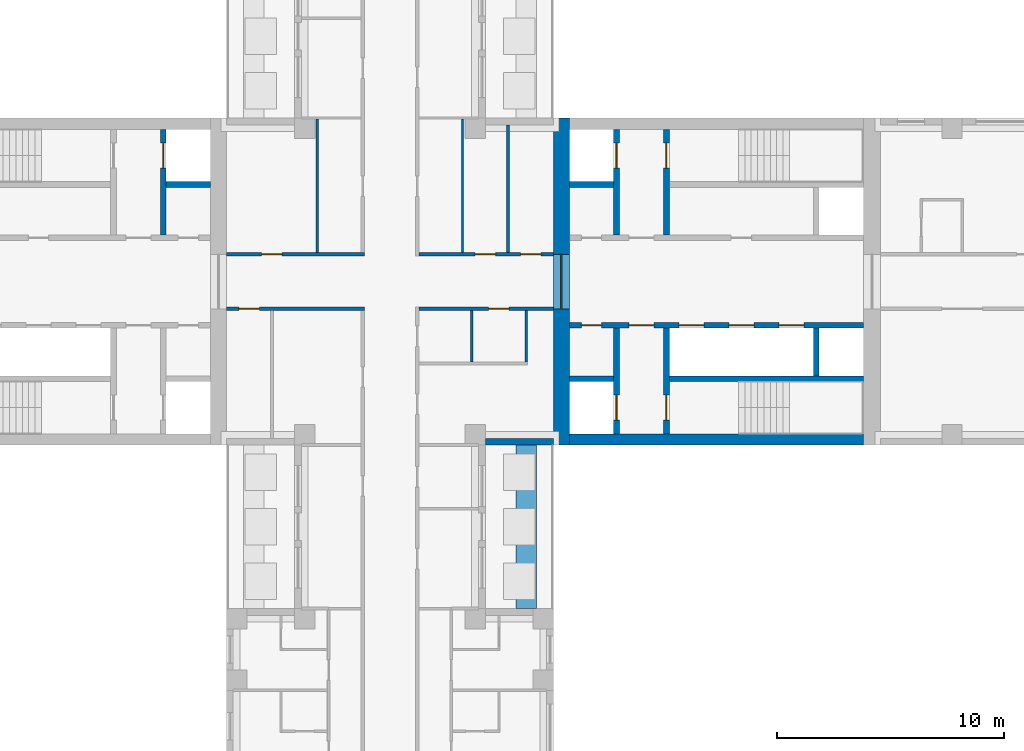
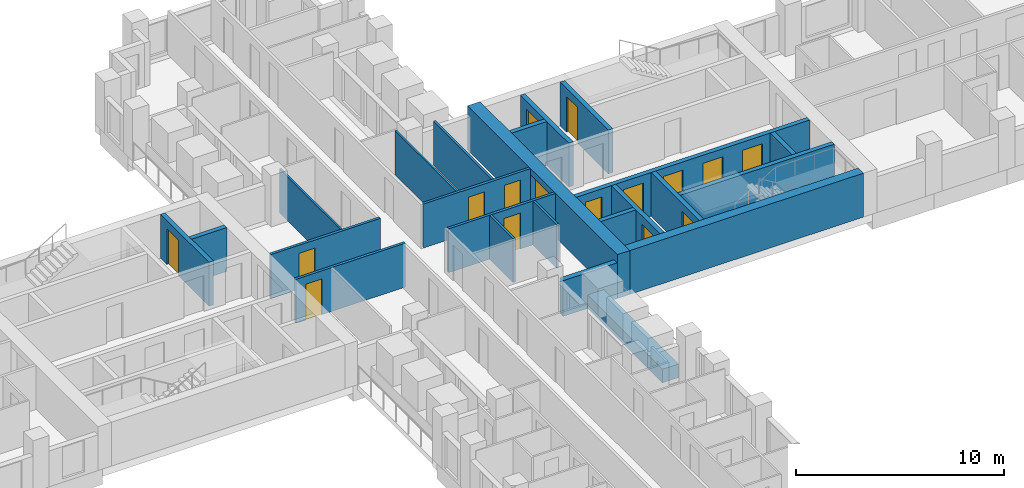
# One storey, part 8 of 14: 24 walls, 16 doors, 16 openings.
"""IFC4 building model written with IfcOpenShell, lengths in metres."""

from ifc_helpers import new_model, si_unit, direction, frame, frame_2d, origin, place, context, subcontext, project, spatial, rectangle, extrude, material, layer, layer_set, type_object, element, fill, save


model = new_model("IFC4")

# Units and contexts
model_context = context("Model", 3, precision=1e-05, world=origin(), true_north=direction((0.0, 1.0)))
body_context = subcontext(model_context, "Body", "Model", "MODEL_VIEW")
ifc_project = project(units=[si_unit("LENGTHUNIT", "METRE"), si_unit("AREAUNIT", "SQUARE_METRE"), si_unit("VOLUMEUNIT", "CUBIC_METRE"), si_unit("PLANEANGLEUNIT", "RADIAN"), si_unit("MASSUNIT", "GRAM", prefix="KILO")], contexts=[model_context])

# Site, building, storey
site_placement = place(None, origin())
site = spatial("IfcSite", under=ifc_project, at=site_placement, CompositionType="ELEMENT")
building_placement = place(site_placement, origin())
building = spatial("IfcBuilding", under=site, at=building_placement, Name="Fustian Cross Tower", CompositionType="ELEMENT")
storey_placement = place(building_placement, frame((0.0, 0.0, 96.89990234375)))
storey = spatial("IfcBuildingStorey", under=building, at=storey_placement, Name="L30", CompositionType="ELEMENT", Elevation=96.89990234375)

# Wall, opening, door
ifc_material_1 = material(Name="Plasterboard on steel stud", Category="steel")
ifc_layer_1 = layer(ifc_material_1, 0.14990234375)
ifc_layer_set_1 = layer_set([ifc_layer_1], Name="Plasterboard on steel stud")
wall_type_1 = type_object("IfcWallType", Name="COMPARTMENT WALL 150 EI 60", PredefinedType="PARTITIONING", material=ifc_layer_set_1)
wall_1_placement = place(storey_placement, frame((-7.199951171875, -1.199951171875, 0.0), z_axis=(0.0, 0.0, 1.0), x_axis=(1.0, 0.0, 0.0)))
wall_1 = element("IfcWall", 1, at=wall_1_placement, inside=storey, type_object=wall_type_1, Name="Partition 13", PredefinedType="PARTITIONING", context=body_context, shape_type="SweptSolid", body=[
    extrude(rectangle(XDim=6.074951171875, YDim=0.14990234375, at=frame_2d((3.03759765625, 0.0))), origin(), (0.0, 0.0, 1.0), 2.5751953125),
])
opening_1_placement = place(wall_1_placement, frame((0.550048828125, 0.0, 0.0)))
opening_1 = element("IfcOpeningElement", 2, at=opening_1_placement, cuts=wall_1, Name="Opening D14010", PredefinedType="OPENING", context=body_context, shape_type="SweptSolid", body=[
    extrude(rectangle(XDim=0.89990234375, YDim=2.10009765625, at=frame_2d((0.449951171875, 1.050048828125))), frame((0.0, 0.0849609375, 0.0), z_axis=(0.0, -1.0, 0.0), x_axis=(1.0, 0.0, 0.0)), (0.0, 0.0, 1.0), 0.169921875),
])
ifc_material_2 = material(Name="Timber fire door set", Category="wood")
door_type_1 = type_object("IfcDoorType", Name="FIRE SWING DOOR 900 FD30S", OperationType="SINGLE_SWING_LEFT", PredefinedType="DOOR", material=ifc_material_2)
door_1_placement = place(opening_1_placement, frame((0.89990234375, 0.0, 0.0), z_axis=(0.0, 0.0, 1.0), x_axis=(-1.0, 0.0, 0.0)))
door_1 = element("IfcDoor", 3, at=door_1_placement, inside=storey, type_object=door_type_1, Name="Door D14010", OperationType="SINGLE_SWING_RIGHT", OverallHeight=2.10009765625, OverallWidth=0.89990234375, PredefinedType="DOOR", context=body_context, shape_type="SweptSolid", body=[
    extrude(rectangle(XDim=0.89990234375, YDim=2.10009765625, at=frame_2d((0.449951171875, 1.050048828125))), frame((0.0, 0.02490234375, 0.0), z_axis=(0.0, -1.0, 0.0), x_axis=(1.0, 0.0, 0.0)), (0.0, 0.0, 1.0), 0.050048828125),
])
fill(opening_1, door_1)

wall_2_placement = place(storey_placement, frame((-7.199951171875, 1.199951171875, 0.0), z_axis=(0.0, 0.0, 1.0), x_axis=(1.0, 0.0, 0.0)))
wall_2 = element("IfcWall", 4, at=wall_2_placement, inside=storey, type_object=wall_type_1, Name="Partition 14", PredefinedType="PARTITIONING", context=body_context, shape_type="SweptSolid", body=[
    extrude(rectangle(XDim=6.074951171875, YDim=0.14990234375, at=frame_2d((3.03759765625, 0.0))), origin(), (0.0, 0.0, 1.0), 2.5751953125),
])
opening_2_placement = place(wall_2_placement, frame((1.550048828125, 0.0, 0.0)))
opening_2 = element("IfcOpeningElement", 5, at=opening_2_placement, cuts=wall_2, Name="Opening D14005", PredefinedType="OPENING", context=body_context, shape_type="SweptSolid", body=[
    extrude(rectangle(XDim=0.89990234375, YDim=2.10009765625, at=frame_2d((0.449951171875, 1.050048828125))), frame((0.0, 0.0849609375, 0.0), z_axis=(0.0, -1.0, 0.0), x_axis=(1.0, 0.0, 0.0)), (0.0, 0.0, 1.0), 0.169921875),
])
door_2_placement = place(opening_2_placement, origin())
door_2 = element("IfcDoor", 6, at=door_2_placement, inside=storey, type_object=door_type_1, Name="Door D14005", OperationType="SINGLE_SWING_LEFT", OverallHeight=2.10009765625, OverallWidth=0.89990234375, PredefinedType="DOOR", context=body_context, shape_type="SweptSolid", body=[
    extrude(rectangle(XDim=0.89990234375, YDim=2.10009765625, at=frame_2d((0.449951171875, 1.050048828125))), frame((0.0, 0.02490234375, 0.0), z_axis=(0.0, -1.0, 0.0), x_axis=(1.0, 0.0, 0.0)), (0.0, 0.0, 1.0), 0.050048828125),
])
fill(opening_2, door_2)

wall_3_placement = place(storey_placement, frame((1.27490234375, -1.199951171875, 0.0), z_axis=(0.0, 0.0, 1.0), x_axis=(1.0, 0.0, 0.0)))
wall_3 = element("IfcWall", 7, at=wall_3_placement, inside=storey, type_object=wall_type_1, Name="Partition 49", PredefinedType="PARTITIONING", context=body_context, shape_type="SweptSolid", body=[
    extrude(rectangle(XDim=5.925048828125, YDim=0.14990234375, at=frame_2d((2.96240234375, 0.0))), origin(), (0.0, 0.0, 1.0), 2.5751953125),
])
opening_3_placement = place(wall_3_placement, frame((3.074951171875, 0.0, 0.0)))
opening_3 = element("IfcOpeningElement", 8, at=opening_3_placement, cuts=wall_3, Name="Opening D14007", PredefinedType="OPENING", context=body_context, shape_type="SweptSolid", body=[
    extrude(rectangle(XDim=0.89990234375, YDim=2.10009765625, at=frame_2d((0.449951171875, 1.050048828125))), frame((0.0, 0.0849609375, 0.0), z_axis=(0.0, -1.0, 0.0), x_axis=(1.0, 0.0, 0.0)), (0.0, 0.0, 1.0), 0.169921875),
])
door_3_placement = place(opening_3_placement, frame((0.89990234375, 0.0, 0.0), z_axis=(0.0, 0.0, 1.0), x_axis=(-1.0, 0.0, 0.0)))
door_3 = element("IfcDoor", 9, at=door_3_placement, inside=storey, type_object=door_type_1, Name="Door D14007", OperationType="SINGLE_SWING_RIGHT", OverallHeight=2.10009765625, OverallWidth=0.89990234375, PredefinedType="DOOR", context=body_context, shape_type="SweptSolid", body=[
    extrude(rectangle(XDim=0.89990234375, YDim=2.10009765625, at=frame_2d((0.449951171875, 1.050048828125))), frame((0.0, 0.02490234375, 0.0), z_axis=(0.0, -1.0, 0.0), x_axis=(1.0, 0.0, 0.0)), (0.0, 0.0, 1.0), 0.050048828125),
])
fill(opening_3, door_3)

# Wall, openings, doors
wall_4_placement = place(storey_placement, frame((1.27490234375, 1.199951171875, 0.0), z_axis=(0.0, 0.0, 1.0), x_axis=(1.0, 0.0, 0.0)))
wall_4 = element("IfcWall", 10, at=wall_4_placement, inside=storey, type_object=wall_type_1, Name="Partition 51", PredefinedType="PARTITIONING", context=body_context, shape_type="SweptSolid", body=[
    extrude(rectangle(XDim=5.925048828125, YDim=0.14990234375, at=frame_2d((2.96240234375, 0.0))), origin(), (0.0, 0.0, 1.0), 2.5751953125),
])
opening_4_placement = place(wall_4_placement, frame((2.47509765625, 0.0, 0.0)))
opening_4 = element("IfcOpeningElement", 11, at=opening_4_placement, cuts=wall_4, Name="Opening D14002", PredefinedType="OPENING", context=body_context, shape_type="SweptSolid", body=[
    extrude(rectangle(XDim=0.89990234375, YDim=2.10009765625, at=frame_2d((0.449951171875, 1.050048828125))), frame((0.0, 0.0849609375, 0.0), z_axis=(0.0, -1.0, 0.0), x_axis=(1.0, 0.0, 0.0)), (0.0, 0.0, 1.0), 0.169921875),
])
opening_5_placement = place(wall_4_placement, frame((4.47509765625, 0.0, 0.0)))
opening_5 = element("IfcOpeningElement", 12, at=opening_5_placement, cuts=wall_4, Name="Opening D14003", PredefinedType="OPENING", context=body_context, shape_type="SweptSolid", body=[
    extrude(rectangle(XDim=0.89990234375, YDim=2.10009765625, at=frame_2d((0.449951171875, 1.050048828125))), frame((0.0, 0.0849609375, 0.0), z_axis=(0.0, -1.0, 0.0), x_axis=(1.0, 0.0, 0.0)), (0.0, 0.0, 1.0), 0.169921875),
])
door_4_placement = place(opening_4_placement, origin())
door_4 = element("IfcDoor", 13, at=door_4_placement, inside=storey, type_object=door_type_1, Name="Door D14002", OperationType="SINGLE_SWING_LEFT", OverallHeight=2.10009765625, OverallWidth=0.89990234375, PredefinedType="DOOR", context=body_context, shape_type="SweptSolid", body=[
    extrude(rectangle(XDim=0.89990234375, YDim=2.10009765625, at=frame_2d((0.449951171875, 1.050048828125))), frame((0.0, 0.02490234375, 0.0), z_axis=(0.0, -1.0, 0.0), x_axis=(1.0, 0.0, 0.0)), (0.0, 0.0, 1.0), 0.050048828125),
])
fill(opening_4, door_4)
door_5_placement = place(opening_5_placement, origin())
door_5 = element("IfcDoor", 14, at=door_5_placement, inside=storey, type_object=door_type_1, Name="Door D14003", OperationType="SINGLE_SWING_LEFT", OverallHeight=2.10009765625, OverallWidth=0.89990234375, PredefinedType="DOOR", context=body_context, shape_type="SweptSolid", body=[
    extrude(rectangle(XDim=0.89990234375, YDim=2.10009765625, at=frame_2d((0.449951171875, 1.050048828125))), frame((0.0, 0.02490234375, 0.0), z_axis=(0.0, -1.0, 0.0), x_axis=(1.0, 0.0, 0.0)), (0.0, 0.0, 1.0), 0.050048828125),
])
fill(opening_5, door_5)

# Wall, opening, door
ifc_material_3 = material(Name="Concrete C70/85", Category="concrete")
ifc_layer_2 = layer(ifc_material_3, 0.699951171875)
ifc_layer_set_2 = layer_set([ifc_layer_2], Name="Concrete C70/85")
wall_type_2 = type_object("IfcWallType", Name="CORE END WALL 700 C70/85", PredefinedType="SHEAR", material=ifc_layer_set_2)
wall_5_placement = place(storey_placement, frame((7.550048828125, -7.199951171875, 0.0), z_axis=(0.0, 0.0, 1.0), x_axis=(0.0, 1.0, 0.0)))
wall_5 = element("IfcWall", 15, at=wall_5_placement, inside=storey, type_object=wall_type_2, Name="Core end wall", PredefinedType="SHEAR", context=body_context, shape_type="SweptSolid", body=[
    extrude(rectangle(XDim=14.39990234375, YDim=0.699951171875, at=frame_2d((7.199951171875, 0.0))), origin(), (0.0, 0.0, 1.0), 2.5751953125),
])
opening_6_placement = place(wall_5_placement, frame((6.0, 0.0, 0.0)))
opening_6 = element("IfcOpeningElement", 16, at=opening_6_placement, cuts=wall_5, Name="Opening CD-09-12", PredefinedType="OPENING", context=body_context, shape_type="SweptSolid", body=[
    extrude(rectangle(XDim=2.39990234375, YDim=2.199951171875, at=frame_2d((1.199951171875, 1.10009765625))), frame((0.0, 0.35986328125, 0.0), z_axis=(0.0, -1.0, 0.0), x_axis=(1.0, 0.0, 0.0)), (0.0, 0.0, 1.0), 0.719970703125),
])
ifc_material_4 = material(Name="Steel", Category="steel")
door_type_2 = type_object("IfcDoorType", Name="FIRE DOOR FD30S DOUBLE 2400X2200", OperationType="DOUBLE_DOOR_DOUBLE_SWING", PredefinedType="DOOR", material=ifc_material_4)
door_6_placement = place(opening_6_placement, frame((2.39990234375, 0.0, 0.0), z_axis=(0.0, 0.0, 1.0), x_axis=(-1.0, 0.0, 0.0)))
door_6 = element("IfcDoor", 17, at=door_6_placement, inside=storey, type_object=door_type_2, Name="Core door CD-09-12", OperationType="DOUBLE_DOOR_DOUBLE_SWING", OverallHeight=2.199951171875, OverallWidth=2.39990234375, PredefinedType="DOOR", context=body_context, shape_type="SweptSolid", body=[
    extrude(rectangle(XDim=2.39990234375, YDim=2.199951171875, at=frame_2d((1.199951171875, 1.10009765625))), frame((0.0, 0.02490234375, 0.0), z_axis=(0.0, -1.0, 0.0), x_axis=(1.0, 0.0, 0.0)), (0.0, 0.0, 1.0), 0.050048828125),
])
fill(opening_6, door_6)

# Wall
ifc_material_5 = material(Name="Concrete C70/85", Category="concrete")
ifc_layer_3 = layer(ifc_material_5, 0.5)
ifc_layer_set_3 = layer_set([ifc_layer_3], Name="Concrete C70/85")
wall_type_3 = type_object("IfcWallType", Name="CORE FACADE WALL 500 C70/85", PredefinedType="SHEAR", material=ifc_layer_set_3)
wall_6_placement = place(storey_placement, frame((7.89990234375, -6.949951171875, 0.0), z_axis=(0.0, 0.0, 1.0), x_axis=(1.0, 0.0, 0.0)))
element("IfcWall", 18, at=wall_6_placement, inside=storey, type_object=wall_type_3, Name="Core facade wall", PredefinedType="SHEAR", context=body_context, shape_type="SweptSolid", body=[
    extrude(rectangle(XDim=12.9501953125, YDim=0.5, at=frame_2d((6.47509765625, 0.0))), origin(), (0.0, 0.0, 1.0), 2.5751953125),
])

# Wall, openings, doors
ifc_material_6 = material(Name="Concrete C50/60", Category="concrete")
ifc_layer_4 = layer(ifc_material_6, 0.25)
ifc_layer_set_4 = layer_set([ifc_layer_4], Name="Concrete C50/60")
wall_type_4 = type_object("IfcWallType", Name="CORE LOBBY WALL 250 C50/60", PredefinedType="SHEAR", material=ifc_layer_set_4)
wall_7_placement = place(storey_placement, frame((7.89990234375, -1.925048828125, 0.0), z_axis=(0.0, 0.0, 1.0), x_axis=(1.0, 0.0, 0.0)))
wall_7 = element("IfcWall", 19, at=wall_7_placement, inside=storey, type_object=wall_type_4, Name="Core lobby wall", PredefinedType="SHEAR", context=body_context, shape_type="SweptSolid", body=[
    extrude(rectangle(XDim=12.9501953125, YDim=0.25, at=frame_2d((6.47509765625, 0.0))), origin(), (0.0, 0.0, 1.0), 2.5751953125),
])
opening_7_placement = place(wall_7_placement, frame((4.824951171875, 0.0, 0.0)))
opening_7 = element("IfcOpeningElement", 20, at=opening_7_placement, cuts=wall_7, Name="Opening LD", PredefinedType="OPENING", context=body_context, shape_type="SweptSolid", body=[
    extrude(rectangle(XDim=1.10009765625, YDim=2.10009765625, at=frame_2d((0.550048828125, 1.050048828125))), frame((0.0, 0.135009765625, 0.0), z_axis=(0.0, -1.0, 0.0), x_axis=(1.0, 0.0, 0.0)), (0.0, 0.0, 1.0), 0.27001953125),
])
opening_8_placement = place(wall_7_placement, frame((7.02490234375, 0.0, 0.0)))
opening_8 = element("IfcOpeningElement", 21, at=opening_8_placement, cuts=wall_7, Name="Opening LD", PredefinedType="OPENING", context=body_context, shape_type="SweptSolid", body=[
    extrude(rectangle(XDim=1.10009765625, YDim=2.10009765625, at=frame_2d((0.550048828125, 1.050048828125))), frame((0.0, 0.135009765625, 0.0), z_axis=(0.0, -1.0, 0.0), x_axis=(1.0, 0.0, 0.0)), (0.0, 0.0, 1.0), 0.27001953125),
])
opening_9_placement = place(wall_7_placement, frame((9.22509765625, 0.0, 0.0)))
opening_9 = element("IfcOpeningElement", 22, at=opening_9_placement, cuts=wall_7, Name="Opening LD", PredefinedType="OPENING", context=body_context, shape_type="SweptSolid", body=[
    extrude(rectangle(XDim=1.10009765625, YDim=2.10009765625, at=frame_2d((0.550048828125, 1.050048828125))), frame((0.0, 0.135009765625, 0.0), z_axis=(0.0, -1.0, 0.0), x_axis=(1.0, 0.0, 0.0)), (0.0, 0.0, 1.0), 0.27001953125),
])
opening_10_placement = place(wall_7_placement, frame((0.52490234375, 0.0, 0.0)))
opening_10 = element("IfcOpeningElement", 23, at=opening_10_placement, cuts=wall_7, Name="Opening CD-09-09", PredefinedType="OPENING", context=body_context, shape_type="SweptSolid", body=[
    extrude(rectangle(XDim=0.89990234375, YDim=2.10009765625, at=frame_2d((0.449951171875, 1.050048828125))), frame((0.0, 0.135009765625, 0.0), z_axis=(0.0, -1.0, 0.0), x_axis=(1.0, 0.0, 0.0)), (0.0, 0.0, 1.0), 0.27001953125),
])
opening_11_placement = place(wall_7_placement, frame((2.625, 0.0, 0.0)))
opening_11 = element("IfcOpeningElement", 24, at=opening_11_placement, cuts=wall_7, Name="Opening CD-09-11", PredefinedType="OPENING", context=body_context, shape_type="SweptSolid", body=[
    extrude(rectangle(XDim=1.10009765625, YDim=2.10009765625, at=frame_2d((0.550048828125, 1.050048828125))), frame((0.0, 0.135009765625, 0.0), z_axis=(0.0, -1.0, 0.0), x_axis=(1.0, 0.0, 0.0)), (0.0, 0.0, 1.0), 0.27001953125),
])
ifc_material_7 = material(Name="Steel", Category="steel")
door_type_3 = type_object("IfcDoorType", Name="FIRE DOOR FD30S 1100X2100", OperationType="SINGLE_SWING_LEFT", PredefinedType="DOOR", material=ifc_material_7)
door_7_placement = place(opening_11_placement, frame((1.10009765625, 0.0, 0.0), z_axis=(0.0, 0.0, 1.0), x_axis=(-1.0, 0.0, 0.0)))
door_7 = element("IfcDoor", 25, at=door_7_placement, inside=storey, type_object=door_type_3, Name="Core door CD-09-11", OperationType="SINGLE_SWING_RIGHT", OverallHeight=2.10009765625, OverallWidth=1.10009765625, PredefinedType="DOOR", context=body_context, shape_type="SweptSolid", body=[
    extrude(rectangle(XDim=1.10009765625, YDim=2.10009765625, at=frame_2d((0.550048828125, 1.050048828125))), frame((0.0, 0.02490234375, 0.0), z_axis=(0.0, -1.0, 0.0), x_axis=(1.0, 0.0, 0.0)), (0.0, 0.0, 1.0), 0.050048828125),
])
fill(opening_11, door_7)
ifc_material_8 = material(Name="Steel", Category="steel")
door_type_4 = type_object("IfcDoorType", Name="FIRE DOOR FD30S 900X2100", OperationType="SINGLE_SWING_LEFT", PredefinedType="DOOR", material=ifc_material_8)
door_8_placement = place(opening_10_placement, frame((0.89990234375, 0.0, 0.0), z_axis=(0.0, 0.0, 1.0), x_axis=(-1.0, 0.0, 0.0)))
door_8 = element("IfcDoor", 26, at=door_8_placement, inside=storey, type_object=door_type_4, Name="Core door CD-09-09", OperationType="SINGLE_SWING_RIGHT", OverallHeight=2.10009765625, OverallWidth=0.89990234375, PredefinedType="DOOR", context=body_context, shape_type="SweptSolid", body=[
    extrude(rectangle(XDim=0.89990234375, YDim=2.10009765625, at=frame_2d((0.449951171875, 1.050048828125))), frame((0.0, 0.02490234375, 0.0), z_axis=(0.0, -1.0, 0.0), x_axis=(1.0, 0.0, 0.0)), (0.0, 0.0, 1.0), 0.050048828125),
])
fill(opening_10, door_8)
ifc_material_9 = material(Name="Stainless steel", Category="steel")
door_type_5 = type_object("IfcDoorType", Name="LIFT LANDING DOOR 1100X2100", OperationType="SLIDING_TO_LEFT", PredefinedType="DOOR", material=ifc_material_9)
door_9_placement = place(opening_7_placement, origin())
door_9 = element("IfcDoor", 27, at=door_9_placement, inside=storey, type_object=door_type_5, Name="Landing door LR1", OperationType="SLIDING_TO_LEFT", OverallHeight=2.10009765625, OverallWidth=1.10009765625, PredefinedType="DOOR", context=body_context, shape_type="SweptSolid", body=[
    extrude(rectangle(XDim=1.10009765625, YDim=2.10009765625, at=frame_2d((0.550048828125, 1.050048828125))), frame((0.0, 0.02490234375, 0.0), z_axis=(0.0, -1.0, 0.0), x_axis=(1.0, 0.0, 0.0)), (0.0, 0.0, 1.0), 0.050048828125),
])
fill(opening_7, door_9)
door_10_placement = place(opening_8_placement, origin())
door_10 = element("IfcDoor", 28, at=door_10_placement, inside=storey, type_object=door_type_5, Name="Landing door LR2", OperationType="SLIDING_TO_LEFT", OverallHeight=2.10009765625, OverallWidth=1.10009765625, PredefinedType="DOOR", context=body_context, shape_type="SweptSolid", body=[
    extrude(rectangle(XDim=1.10009765625, YDim=2.10009765625, at=frame_2d((0.550048828125, 1.050048828125))), frame((0.0, 0.02490234375, 0.0), z_axis=(0.0, -1.0, 0.0), x_axis=(1.0, 0.0, 0.0)), (0.0, 0.0, 1.0), 0.050048828125),
])
fill(opening_8, door_10)
door_11_placement = place(opening_9_placement, origin())
door_11 = element("IfcDoor", 29, at=door_11_placement, inside=storey, type_object=door_type_5, Name="Landing door LR3", OperationType="SLIDING_TO_LEFT", OverallHeight=2.10009765625, OverallWidth=1.10009765625, PredefinedType="DOOR", context=body_context, shape_type="SweptSolid", body=[
    extrude(rectangle(XDim=1.10009765625, YDim=2.10009765625, at=frame_2d((0.550048828125, 1.050048828125))), frame((0.0, 0.02490234375, 0.0), z_axis=(0.0, -1.0, 0.0), x_axis=(1.0, 0.0, 0.0)), (0.0, 0.0, 1.0), 0.050048828125),
])
fill(opening_9, door_11)

# Wall
ifc_material_10 = material(Name="Concrete C50/60", Category="concrete")
ifc_layer_5 = layer(ifc_material_10, 0.25)
ifc_layer_set_5 = layer_set([ifc_layer_5], Name="Concrete C50/60")
wall_type_5 = type_object("IfcWallType", Name="CORE SHAFT WALL 250 C50/60", PredefinedType="SHEAR", material=ifc_layer_set_5)
wall_8_placement = place(storey_placement, frame((7.89990234375, 4.27490234375, 0.0), z_axis=(0.0, 0.0, 1.0), x_axis=(1.0, 0.0, 0.0)))
element("IfcWall", 30, at=wall_8_placement, inside=storey, type_object=wall_type_5, Name="Core shaft wall", PredefinedType="SHEAR", context=body_context, shape_type="SweptSolid", body=[
    extrude(rectangle(XDim=1.9501953125, YDim=0.25, at=frame_2d((0.97509765625, 0.0))), origin(), (0.0, 0.0, 1.0), 2.5751953125),
])

# Wall, opening, door
wall_9_placement = place(storey_placement, frame((9.97509765625, 2.050048828125, 0.0), z_axis=(0.0, 0.0, 1.0), x_axis=(0.0, 1.0, 0.0)))
wall_9 = element("IfcWall", 31, at=wall_9_placement, inside=storey, type_object=wall_type_5, Name="Core shaft wall", PredefinedType="SHEAR", context=body_context, shape_type="SweptSolid", body=[
    extrude(rectangle(XDim=4.64990234375, YDim=0.25, at=frame_2d((2.324951171875, 0.0))), origin(), (0.0, 0.0, 1.0), 2.5751953125),
])
opening_12_placement = place(wall_9_placement, frame((2.949951171875, 0.0, 0.0)))
opening_12 = element("IfcOpeningElement", 32, at=opening_12_placement, cuts=wall_9, Name="Opening LD", PredefinedType="OPENING", context=body_context, shape_type="SweptSolid", body=[
    extrude(rectangle(XDim=1.10009765625, YDim=2.10009765625, at=frame_2d((0.550048828125, 1.050048828125))), frame((0.0, 0.135009765625, 0.0), z_axis=(0.0, -1.0, 0.0), x_axis=(1.0, 0.0, 0.0)), (0.0, 0.0, 1.0), 0.27001953125),
])
door_12_placement = place(opening_12_placement, origin())
door_12 = element("IfcDoor", 33, at=door_12_placement, inside=storey, type_object=door_type_5, Name="Landing door FL1", OperationType="SLIDING_TO_LEFT", OverallHeight=2.10009765625, OverallWidth=1.10009765625, PredefinedType="DOOR", context=body_context, shape_type="SweptSolid", body=[
    extrude(rectangle(XDim=1.10009765625, YDim=2.10009765625, at=frame_2d((0.550048828125, 1.050048828125))), frame((0.0, 0.02490234375, 0.0), z_axis=(0.0, -1.0, 0.0), x_axis=(1.0, 0.0, 0.0)), (0.0, 0.0, 1.0), 0.050048828125),
])
fill(opening_12, door_12)

wall_10_placement = place(storey_placement, frame((12.175048828125, 2.050048828125, 0.0), z_axis=(0.0, 0.0, 1.0), x_axis=(0.0, 1.0, 0.0)))
wall_10 = element("IfcWall", 34, at=wall_10_placement, inside=storey, type_object=wall_type_5, Name="Core shaft wall", PredefinedType="SHEAR", context=body_context, shape_type="SweptSolid", body=[
    extrude(rectangle(XDim=4.64990234375, YDim=0.25, at=frame_2d((2.324951171875, 0.0))), origin(), (0.0, 0.0, 1.0), 2.5751953125),
])
opening_13_placement = place(wall_10_placement, frame((2.949951171875, 0.0, 0.0)))
opening_13 = element("IfcOpeningElement", 35, at=opening_13_placement, cuts=wall_10, Name="Opening CD-09-06", PredefinedType="OPENING", context=body_context, shape_type="SweptSolid", body=[
    extrude(rectangle(XDim=1.10009765625, YDim=2.10009765625, at=frame_2d((0.550048828125, 1.050048828125))), frame((0.0, 0.135009765625, 0.0), z_axis=(0.0, -1.0, 0.0), x_axis=(1.0, 0.0, 0.0)), (0.0, 0.0, 1.0), 0.27001953125),
])
ifc_material_11 = material(Name="Steel", Category="steel")
door_type_6 = type_object("IfcDoorType", Name="FIRE DOOR FD60S 1100X2100", OperationType="SINGLE_SWING_LEFT", PredefinedType="DOOR", material=ifc_material_11)
door_13_placement = place(opening_13_placement, frame((1.10009765625, 0.0, 0.0), z_axis=(0.0, 0.0, 1.0), x_axis=(-1.0, 0.0, 0.0)))
door_13 = element("IfcDoor", 36, at=door_13_placement, inside=storey, type_object=door_type_6, Name="Core door CD-09-06", OperationType="SINGLE_SWING_RIGHT", OverallHeight=2.10009765625, OverallWidth=1.10009765625, PredefinedType="DOOR", context=body_context, shape_type="SweptSolid", body=[
    extrude(rectangle(XDim=1.10009765625, YDim=2.10009765625, at=frame_2d((0.550048828125, 1.050048828125))), frame((0.0, 0.02490234375, 0.0), z_axis=(0.0, -1.0, 0.0), x_axis=(1.0, 0.0, 0.0)), (0.0, 0.0, 1.0), 0.050048828125),
])
fill(opening_13, door_13)

# Walls
wall_11_placement = place(storey_placement, frame((7.89990234375, -4.27490234375, 0.0), z_axis=(0.0, 0.0, 1.0), x_axis=(1.0, 0.0, 0.0)))
element("IfcWall", 37, at=wall_11_placement, inside=storey, type_object=wall_type_5, Name="Core shaft wall", PredefinedType="SHEAR", context=body_context, shape_type="SweptSolid", body=[
    extrude(rectangle(XDim=1.9501953125, YDim=0.25, at=frame_2d((0.97509765625, 0.0))), origin(), (0.0, 0.0, 1.0), 2.5751953125),
])
wall_12_placement = place(storey_placement, frame((12.300048828125, -4.27490234375, 0.0), z_axis=(0.0, 0.0, 1.0), x_axis=(1.0, 0.0, 0.0)))
element("IfcWall", 38, at=wall_12_placement, inside=storey, type_object=wall_type_5, Name="Core shaft wall", PredefinedType="SHEAR", context=body_context, shape_type="SweptSolid", body=[
    extrude(rectangle(XDim=8.550048828125, YDim=0.25, at=frame_2d((4.27490234375, 0.0))), origin(), (0.0, 0.0, 1.0), 2.5751953125),
])

# Wall, opening, door
wall_13_placement = place(storey_placement, frame((9.97509765625, -2.050048828125, 0.0), z_axis=(0.0, 0.0, 1.0), x_axis=(0.0, -1.0, 0.0)))
wall_13 = element("IfcWall", 39, at=wall_13_placement, inside=storey, type_object=wall_type_5, Name="Core shaft wall", PredefinedType="SHEAR", context=body_context, shape_type="SweptSolid", body=[
    extrude(rectangle(XDim=4.64990234375, YDim=0.25, at=frame_2d((2.324951171875, 0.0))), origin(), (0.0, 0.0, 1.0), 2.5751953125),
])
opening_14_placement = place(wall_13_placement, frame((2.949951171875, 0.0, 0.0)))
opening_14 = element("IfcOpeningElement", 40, at=opening_14_placement, cuts=wall_13, Name="Opening LD", PredefinedType="OPENING", context=body_context, shape_type="SweptSolid", body=[
    extrude(rectangle(XDim=1.10009765625, YDim=2.10009765625, at=frame_2d((0.550048828125, 1.050048828125))), frame((0.0, 0.135009765625, 0.0), z_axis=(0.0, -1.0, 0.0), x_axis=(1.0, 0.0, 0.0)), (0.0, 0.0, 1.0), 0.27001953125),
])
door_14_placement = place(opening_14_placement, origin())
door_14 = element("IfcDoor", 41, at=door_14_placement, inside=storey, type_object=door_type_5, Name="Landing door SV1", OperationType="SLIDING_TO_LEFT", OverallHeight=2.10009765625, OverallWidth=1.10009765625, PredefinedType="DOOR", context=body_context, shape_type="SweptSolid", body=[
    extrude(rectangle(XDim=1.10009765625, YDim=2.10009765625, at=frame_2d((0.550048828125, 1.050048828125))), frame((0.0, 0.02490234375, 0.0), z_axis=(0.0, -1.0, 0.0), x_axis=(1.0, 0.0, 0.0)), (0.0, 0.0, 1.0), 0.050048828125),
])
fill(opening_14, door_14)

wall_14_placement = place(storey_placement, frame((12.175048828125, -2.050048828125, 0.0), z_axis=(0.0, 0.0, 1.0), x_axis=(0.0, -1.0, 0.0)))
wall_14 = element("IfcWall", 42, at=wall_14_placement, inside=storey, type_object=wall_type_5, Name="Core shaft wall", PredefinedType="SHEAR", context=body_context, shape_type="SweptSolid", body=[
    extrude(rectangle(XDim=4.64990234375, YDim=0.25, at=frame_2d((2.324951171875, 0.0))), origin(), (0.0, 0.0, 1.0), 2.5751953125),
])
opening_15_placement = place(wall_14_placement, frame((2.949951171875, 0.0, 0.0)))
opening_15 = element("IfcOpeningElement", 43, at=opening_15_placement, cuts=wall_14, Name="Opening CD-09-07", PredefinedType="OPENING", context=body_context, shape_type="SweptSolid", body=[
    extrude(rectangle(XDim=1.10009765625, YDim=2.10009765625, at=frame_2d((0.550048828125, 1.050048828125))), frame((0.0, 0.135009765625, 0.0), z_axis=(0.0, -1.0, 0.0), x_axis=(1.0, 0.0, 0.0)), (0.0, 0.0, 1.0), 0.27001953125),
])
door_15_placement = place(opening_15_placement, origin())
door_15 = element("IfcDoor", 44, at=door_15_placement, inside=storey, type_object=door_type_6, Name="Core door CD-09-07", OperationType="SINGLE_SWING_LEFT", OverallHeight=2.10009765625, OverallWidth=1.10009765625, PredefinedType="DOOR", context=body_context, shape_type="SweptSolid", body=[
    extrude(rectangle(XDim=1.10009765625, YDim=2.10009765625, at=frame_2d((0.550048828125, 1.050048828125))), frame((0.0, 0.02490234375, 0.0), z_axis=(0.0, -1.0, 0.0), x_axis=(1.0, 0.0, 0.0)), (0.0, 0.0, 1.0), 0.050048828125),
])
fill(opening_15, door_15)

# Wall
wall_15_placement = place(storey_placement, frame((-7.89990234375, 4.27490234375, 0.0), z_axis=(0.0, 0.0, 1.0), x_axis=(-1.0, 0.0, 0.0)))
element("IfcWall", 45, at=wall_15_placement, inside=storey, type_object=wall_type_5, Name="Core shaft wall", PredefinedType="SHEAR", context=body_context, shape_type="SweptSolid", body=[
    extrude(rectangle(XDim=1.9501953125, YDim=0.25, at=frame_2d((0.97509765625, 0.0))), origin(), (0.0, 0.0, 1.0), 2.5751953125),
])

# Wall, opening, door
wall_16_placement = place(storey_placement, frame((-9.97509765625, 2.050048828125, 0.0), z_axis=(0.0, 0.0, 1.0), x_axis=(0.0, 1.0, 0.0)))
wall_16 = element("IfcWall", 46, at=wall_16_placement, inside=storey, type_object=wall_type_5, Name="Core shaft wall", PredefinedType="SHEAR", context=body_context, shape_type="SweptSolid", body=[
    extrude(rectangle(XDim=4.64990234375, YDim=0.25, at=frame_2d((2.324951171875, 0.0))), origin(), (0.0, 0.0, 1.0), 2.5751953125),
])
opening_16_placement = place(wall_16_placement, frame((2.949951171875, 0.0, 0.0)))
opening_16 = element("IfcOpeningElement", 47, at=opening_16_placement, cuts=wall_16, Name="Opening LD", PredefinedType="OPENING", context=body_context, shape_type="SweptSolid", body=[
    extrude(rectangle(XDim=1.10009765625, YDim=2.10009765625, at=frame_2d((0.550048828125, 1.050048828125))), frame((0.0, 0.135009765625, 0.0), z_axis=(0.0, -1.0, 0.0), x_axis=(1.0, 0.0, 0.0)), (0.0, 0.0, 1.0), 0.27001953125),
])
door_16_placement = place(opening_16_placement, origin())
door_16 = element("IfcDoor", 48, at=door_16_placement, inside=storey, type_object=door_type_5, Name="Landing door FL1W", OperationType="SLIDING_TO_LEFT", OverallHeight=2.10009765625, OverallWidth=1.10009765625, PredefinedType="DOOR", context=body_context, shape_type="SweptSolid", body=[
    extrude(rectangle(XDim=1.10009765625, YDim=2.10009765625, at=frame_2d((0.550048828125, 1.050048828125))), frame((0.0, 0.02490234375, 0.0), z_axis=(0.0, -1.0, 0.0), x_axis=(1.0, 0.0, 0.0)), (0.0, 0.0, 1.0), 0.050048828125),
])
fill(opening_16, door_16)

# Walls
ifc_material_12 = material(Name="Plasterboard on steel stud", Category="steel")
ifc_layer_6 = layer(ifc_material_12, 0.10009765625)
ifc_layer_set_6 = layer_set([ifc_layer_6], Name="Plasterboard on steel stud")
wall_type_6 = type_object("IfcWallType", Name="PARTITION 100 STUD", PredefinedType="PARTITIONING", material=ifc_layer_set_6)
for number, where, z_axis, x_axis, name in (
    (49, (-3.199951171875, 1.27490234375, 0.0), (0.0, 0.0, 1.0), (0.0, 1.0, 0.0), "Partition 38"),
    (50, (3.199951171875, 1.27490234375, 0.0), (0.0, 0.0, 1.0), (0.0, 1.0, 0.0), "Partition 67"),
):
    element("IfcWall", number, at=place(storey_placement, frame(where, z_axis=z_axis, x_axis=x_axis)), inside=storey, type_object=wall_type_6, Name=name, PredefinedType="PARTITIONING", context=body_context, shape_type="SweptSolid", body=[
        extrude(rectangle(XDim=5.875, YDim=0.10009765625, at=frame_2d((2.9375, 0.0))), origin(), (0.0, 0.0, 1.0), 2.5751953125),
    ])
ifc_material_13 = material(Name="Concrete C40/50", Category="concrete")
ifc_layer_7 = layer(ifc_material_13, 0.89990234375)
ifc_layer_set_7 = layer_set([ifc_layer_7], Name="Concrete C40/50")
wall_type_7 = type_object("IfcWallType", Name="PK1 PLANTER 900", PredefinedType="PARAPET", material=ifc_layer_set_7)
wall_17_placement = place(storey_placement, frame((6.0, -14.39990234375, 0.0), z_axis=(0.0, 0.0, 1.0), x_axis=(0.0, 1.0, 0.0)))
element("IfcWall", 51, at=wall_17_placement, inside=storey, type_object=wall_type_7, Name="PLANTER", PredefinedType="PARAPET", context=body_context, shape_type="SweptSolid", body=[
    extrude(rectangle(XDim=7.199951171875, YDim=0.89990234375, at=frame_2d((3.60009765625, 0.0))), origin(), (0.0, 0.0, 1.0), 0.800048828125),
])
ifc_material_14 = material(Name="Concrete C40/50", Category="concrete")
ifc_layer_8 = layer(ifc_material_14, 0.25)
ifc_layer_set_8 = layer_set([ifc_layer_8], Name="Concrete C40/50")
wall_type_8 = type_object("IfcWallType", Name="SHAFT PARTITION WALL 250 C40/50", PredefinedType="PARTITIONING", material=ifc_layer_set_8)
wall_18_placement = place(storey_placement, frame((18.77490234375, -2.050048828125, 0.0), z_axis=(0.0, 0.0, 1.0), x_axis=(0.0, -1.0, 0.0)))
element("IfcWall", 52, at=wall_18_placement, inside=storey, type_object=wall_type_8, Name="Core shaft wall", PredefinedType="PARTITIONING", context=body_context, shape_type="SweptSolid", body=[
    extrude(rectangle(XDim=2.099853515625, YDim=0.25, at=frame_2d((1.0498046875, 0.0))), origin(), (0.0, 0.0, 1.0), 2.5751953125),
])
ifc_material_15 = material(Name="Plasterboard on steel stud", Category="steel")
ifc_layer_9 = layer(ifc_material_15, 0.125)
ifc_layer_set_9 = layer_set([ifc_layer_9], Name="Plasterboard on steel stud")
wall_type_9 = type_object("IfcWallType", Name="WET WALL 125 STUD", PredefinedType="PARTITIONING", material=ifc_layer_set_9)
wall_19_placement = place(storey_placement, frame((3.60009765625, -3.53759765625, 0.0), z_axis=(0.0, 0.0, 1.0), x_axis=(0.0, 1.0, 0.0)))
element("IfcWall", 53, at=wall_19_placement, inside=storey, type_object=wall_type_9, Name="Partition 68", PredefinedType="PARTITIONING", context=body_context, shape_type="SweptSolid", body=[
    extrude(rectangle(XDim=2.2626953125, YDim=0.125, at=frame_2d((1.13134765625, 0.0))), origin(), (0.0, 0.0, 1.0), 2.5751953125),
])
wall_20_placement = place(storey_placement, frame((5.199951171875, 1.27490234375, 0.0), z_axis=(0.0, 0.0, 1.0), x_axis=(0.0, 1.0, 0.0)))
element("IfcWall", 54, at=wall_20_placement, inside=storey, type_object=wall_type_9, Name="Partition 76", PredefinedType="PARTITIONING", context=body_context, shape_type="SweptSolid", body=[
    extrude(rectangle(XDim=5.625, YDim=0.125, at=frame_2d((2.8125, 0.0))), origin(), (0.0, 0.0, 1.0), 2.5751953125),
])
wall_21_placement = place(storey_placement, frame((6.0, -3.53759765625, 0.0), z_axis=(0.0, 0.0, 1.0), x_axis=(0.0, 1.0, 0.0)))
element("IfcWall", 55, at=wall_21_placement, inside=storey, type_object=wall_type_9, Name="Partition 77", PredefinedType="PARTITIONING", context=body_context, shape_type="SweptSolid", body=[
    extrude(rectangle(XDim=2.2626953125, YDim=0.125, at=frame_2d((1.13134765625, 0.0))), origin(), (0.0, 0.0, 1.0), 2.5751953125),
])
ifc_material_16 = material(Name="Dark aluminium cladding on insulated backing wall", Category="aluminium")
ifc_layer_10 = layer(ifc_material_16, 0.300048828125)
ifc_layer_set_10 = layer_set([ifc_layer_10], Name="Dark aluminium cladding on insulated backing wall")
wall_type_10 = type_object("IfcWallType", Name="XW1 EXTERNAL WALL 300", PredefinedType="SOLIDWALL", material=ifc_layer_set_10)
wall_22_placement = place(storey_placement, frame((4.199951171875, -7.050048828125, 0.0), z_axis=(0.0, 0.0, 1.0), x_axis=(1.0, 0.0, 0.0)))
element("IfcWall", 56, at=wall_22_placement, inside=storey, type_object=wall_type_10, Name="External wall", PredefinedType="SOLIDWALL", context=body_context, shape_type="SweptSolid", body=[
    extrude(rectangle(XDim=3.0, YDim=0.300048828125, at=frame_2d((1.5, 0.0))), origin(), (0.0, 0.0, 1.0), 2.10009765625),
])

save(model, "model.ifc")
